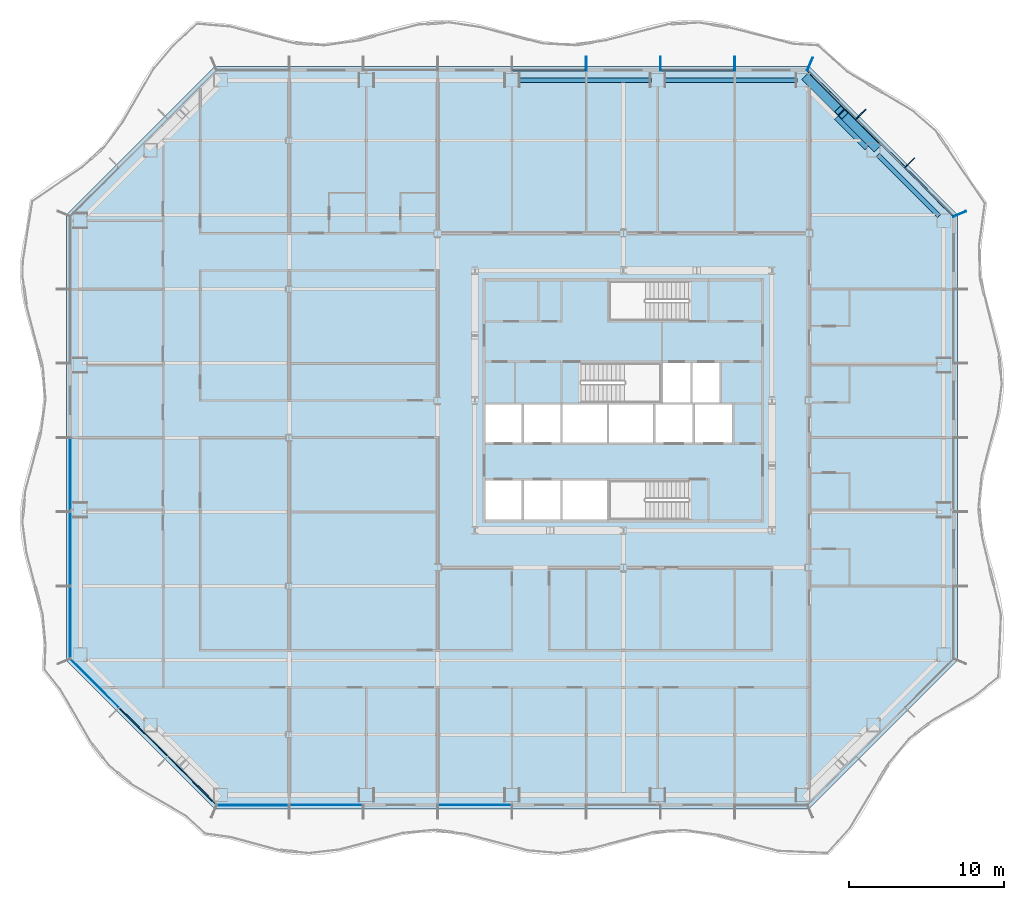
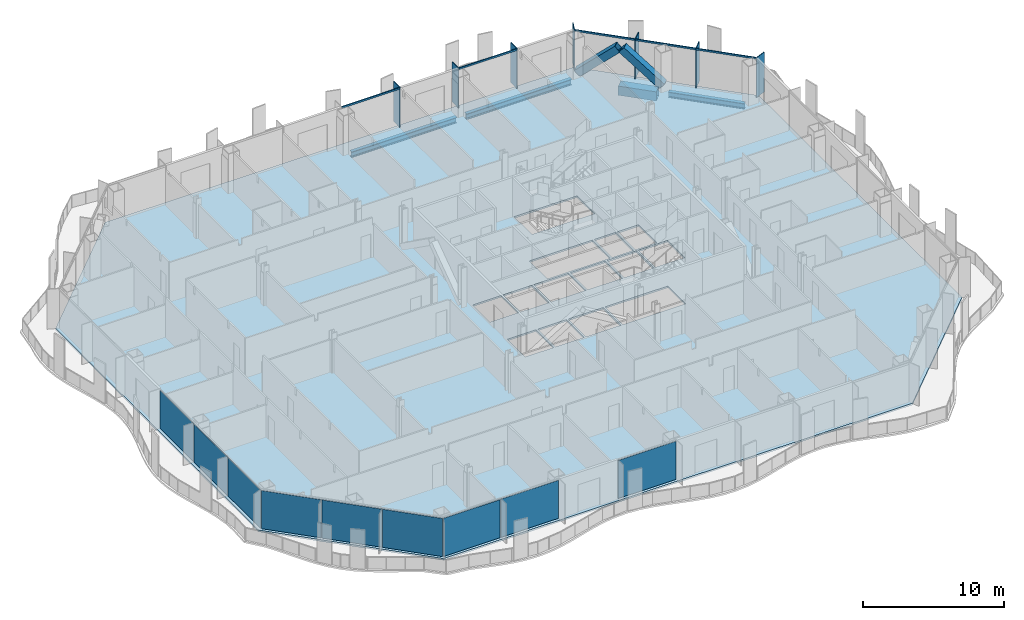
# One storey, part 4 of 21: 14 members, 9 plates, 4 beams, 1 slab, 5 elements without a shape of their own.
"""IFC4 building model written with IfcOpenShell, lengths in metres."""

from ifc_helpers import new_model, si_unit, direction, frame, origin, origin_2d, place, context, subcontext, project, spatial, polyline, rectangle, hollow_rectangle, i_section, outline, extrude, material, layer, layer_set, material_profile, profile_set, type_object, element, aggregate, save


model = new_model("IFC4")

# Units and contexts
model_context = context("Model", 3, precision=1e-05, world=origin(), true_north=direction((0.0, 1.0)))
body_context = subcontext(model_context, "Body", "Model", "MODEL_VIEW")
ifc_project = project(units=[si_unit("LENGTHUNIT", "METRE"), si_unit("AREAUNIT", "SQUARE_METRE"), si_unit("VOLUMEUNIT", "CUBIC_METRE"), si_unit("PLANEANGLEUNIT", "RADIAN"), si_unit("MASSUNIT", "GRAM", prefix="KILO")], contexts=[model_context])

# Site, building, storey
site_placement = place(None, origin())
site = spatial("IfcSite", under=ifc_project, at=site_placement, CompositionType="ELEMENT")
building_placement = place(site_placement, origin())
building = spatial("IfcBuilding", under=site, at=building_placement, Name="Cairn Pilgrim Tower", CompositionType="ELEMENT")
storey_placement = place(building_placement, frame((0.0, 0.0, 69.0)))
storey = spatial("IfcBuildingStorey", under=building, at=storey_placement, Name="L15", CompositionType="ELEMENT", Elevation=69.0)

# Members
ifc_material_1 = material(Name="Structural steel S460M", Category="steel")
ifc_material_profile_1 = material_profile(ifc_material_1, hollow_rectangle(XDim=0.60009765625, YDim=0.60009765625, WallThickness=0.034912109375, at=origin_2d()), Name="BOX 600x600x35")
ifc_profile_set_1 = profile_set([ifc_material_profile_1], Name="Structural steel S460M")
member_type_1 = type_object("IfcMemberType", Name="BOX 600x600x35 BRACE", PredefinedType="BRACE", material=ifc_profile_set_1)
for number, where, z_axis, x_axis, name in (
    (1, (23.4873046875, 18.814697265625, 0.14990234375), (-0.528939327604, 0.528877844478, 0.663710338426), (-0.70706568108, -0.707147878904, 0.0), "XB-NE2-N1-1"),
    (2, (19.078125, 23.2236328125, 0.14990234375), (0.52892212789, -0.52892212789, 0.663688756314), (0.707106781187, 0.707106781187, 0.0), "XB-NE2-N1-2"),
):
    element("IfcMember", number, at=place(storey_placement, frame(where, z_axis=z_axis, x_axis=x_axis)), inside=storey, type_object=member_type_1, Name=name, PredefinedType="BRACE", context=body_context, shape_type="SweptSolid", body=[
        extrude(hollow_rectangle(XDim=0.60009765625, YDim=0.60009765625, WallThickness=0.034912109375, at=origin_2d()), origin(), (0.0, 0.0, 1.0), 3.970947265625),
    ])

# Beam
ifc_material_2 = material(Name="Structural steel S355J2", Category="steel")
ifc_material_profile_2 = material_profile(ifc_material_2, hollow_rectangle(XDim=0.699951171875, YDim=0.800048828125, WallThickness=0.0400390625, at=origin_2d()), Name="BOX 700x800x40")
ifc_profile_set_2 = profile_set([ifc_material_profile_2], Name="Structural steel S355J2")
beam_type_1 = type_object("IfcBeamType", Name="BOX 700x800x40 RING GIRDER", PredefinedType="SPANDREL", material=ifc_profile_set_2)
beam_1_placement = place(storey_placement, frame((23.0771484375, 18.85009765625, -0.550048828125), z_axis=(-0.707106781187, 0.707106781187, 0.0), x_axis=(-0.707106781187, -0.707106781187, 0.0)))
element("IfcBeam", 3, at=beam_1_placement, inside=storey, type_object=beam_type_1, Name="RG1-NE2-N1-1", PredefinedType="SPANDREL", context=body_context, shape_type="SweptSolid", body=[
    extrude(hollow_rectangle(XDim=0.699951171875, YDim=0.800048828125, WallThickness=0.0400390625, at=origin_2d()), origin(), (0.0, 0.0, 1.0), 2.802490234375),
])

# Curtain wall, members
ifc_material_3 = material(Name="Aluminium alloy 6063-T6 bronze anodised with Bronze tinted laminated low-E glass 8+16+8.8", Category="aluminium")
curtain_wall_type_1 = type_object("IfcCurtainWallType", Name="CHAMFER CORNER CURTAIN WALL", PredefinedType="NOTDEFINED", material=ifc_material_3)
curtain_wall_1_placement = place(storey_placement, origin())
curtain_wall_1 = element("IfcCurtainWall", 4, at=curtain_wall_1_placement, inside=storey, type_object=curtain_wall_type_1, Name="Chamfer Corner Curtain Wall NE", PredefinedType="NOTDEFINED")
ifc_material_4 = material(Name="Aluminium alloy 6063-T6 bronze anodised", Category="aluminium")
ifc_material_profile_3 = material_profile(ifc_material_4, rectangle(XDim=0.89990234375, YDim=0.06005859375, at=origin_2d()), Name="FIN MULLION 60x900 BRONZE")
ifc_profile_set_3 = profile_set([ifc_material_profile_3], Name="Aluminium alloy 6063-T6 bronze anodised")
member_type_2 = type_object("IfcMemberType", Name="FIN MULLION 60x900 BRONZE", PredefinedType="MULLION", material=ifc_profile_set_3)
member_1_placement = place(storey_placement, frame((28.93798828125, 14.457275390625, 0.0), z_axis=(0.0, 0.0, 1.0), x_axis=(0.923879532511, 0.382683432365, 0.0)))
member_1 = element("IfcMember", 5, at=member_1_placement, type_object=member_type_2, Name="Fin mullion NE1", PredefinedType="MULLION", context=body_context, shape_type="SweptSolid", body=[
    extrude(rectangle(XDim=0.89990234375, YDim=0.06005859375, at=origin_2d()), origin(), (0.0, 0.0, 1.0), 3.449951171875),
])
member_2_placement = place(storey_placement, frame((25.69580078125, 17.74462890625, 0.0), z_axis=(0.0, 0.0, 1.0), x_axis=(0.707106781187, 0.707106781187, 0.0)))
member_2 = element("IfcMember", 6, at=member_2_placement, type_object=member_type_2, Name="Fin mullion NE2", PredefinedType="MULLION", context=body_context, shape_type="SweptSolid", body=[
    extrude(rectangle(XDim=0.89990234375, YDim=0.06005859375, at=origin_2d()), origin(), (0.0, 0.0, 1.0), 3.449951171875),
])
member_3_placement = place(storey_placement, frame((22.544677734375, 20.895751953125, 0.0), z_axis=(0.0, 0.0, 1.0), x_axis=(0.707106781187, 0.707106781187, 0.0)))
member_3 = element("IfcMember", 7, at=member_3_placement, type_object=member_type_2, Name="Fin mullion NE3", PredefinedType="MULLION", context=body_context, shape_type="SweptSolid", body=[
    extrude(rectangle(XDim=0.89990234375, YDim=0.06005859375, at=origin_2d()), origin(), (0.0, 0.0, 1.0), 3.449951171875),
])

curtain_wall_type_2 = type_object("IfcCurtainWallType", Name="TOWER STICK CURTAIN WALL NS", PredefinedType="NOTDEFINED", material=ifc_material_3)
curtain_wall_2_placement = place(storey_placement, origin())
curtain_wall_2 = element("IfcCurtainWall", 8, at=curtain_wall_2_placement, inside=storey, type_object=curtain_wall_type_2, Name="Tower Stick Curtain Wall Ns N", PredefinedType="NOTDEFINED")
member_4_placement = place(storey_placement, frame((19.257080078125, 24.137939453125, 0.0), z_axis=(0.0, 0.0, 1.0), x_axis=(0.382683432365, 0.923879532511, 0.0)))
member_4 = element("IfcMember", 9, at=member_4_placement, type_object=member_type_2, Name="Fin mullion N1", PredefinedType="MULLION", context=body_context, shape_type="SweptSolid", body=[
    extrude(rectangle(XDim=0.89990234375, YDim=0.06005859375, at=origin_2d()), origin(), (0.0, 0.0, 1.0), 3.449951171875),
])
member_5_placement = place(storey_placement, frame((14.39990234375, 24.169921875, 0.0), z_axis=(0.0, 0.0, 1.0), x_axis=(0.0, 1.0, 0.0)))
member_5 = element("IfcMember", 10, at=member_5_placement, type_object=member_type_2, Name="Fin mullion N2", PredefinedType="MULLION", context=body_context, shape_type="SweptSolid", body=[
    extrude(rectangle(XDim=0.89990234375, YDim=0.06005859375, at=origin_2d()), origin(), (0.0, 0.0, 1.0), 3.449951171875),
])
member_6_placement = place(storey_placement, frame((9.60009765625, 24.169921875, 0.0), z_axis=(0.0, 0.0, 1.0), x_axis=(0.0, 1.0, 0.0)))
member_6 = element("IfcMember", 11, at=member_6_placement, type_object=member_type_2, Name="Fin mullion N3", PredefinedType="MULLION", context=body_context, shape_type="SweptSolid", body=[
    extrude(rectangle(XDim=0.89990234375, YDim=0.06005859375, at=origin_2d()), origin(), (0.0, 0.0, 1.0), 3.449951171875),
])
member_7_placement = place(storey_placement, frame((4.800048828125, 24.169921875, 0.0), z_axis=(0.0, 0.0, 1.0), x_axis=(0.0, 1.0, 0.0)))
member_7 = element("IfcMember", 12, at=member_7_placement, type_object=member_type_2, Name="Fin mullion N4", PredefinedType="MULLION", context=body_context, shape_type="SweptSolid", body=[
    extrude(rectangle(XDim=0.89990234375, YDim=0.06005859375, at=origin_2d()), origin(), (0.0, 0.0, 1.0), 3.449951171875),
])

# Beams
ifc_material_profile_4 = material_profile(ifc_material_2, i_section(OverallWidth=0.300048828125, OverallDepth=0.5, WebThickness=0.014404296875, FlangeThickness=0.028076171875, FilletRadius=0.027099609375, at=origin_2d()), Name="HEB 500")
ifc_profile_set_4 = profile_set([ifc_material_profile_4], Name="Structural steel S355J2")
beam_type_2 = type_object("IfcBeamType", Name="HEB 500 RING GIRDER", PredefinedType="SPANDREL", material=ifc_profile_set_4)
beam_2_placement = place(storey_placement, frame((27.613525390625, 14.313720703125, -0.39990234375), z_axis=(-0.707128558756, 0.707085002947, 0.0), x_axis=(-0.707085002947, -0.707128558756, 0.0)))
element("IfcBeam", 13, at=beam_2_placement, inside=storey, type_object=beam_type_2, Name="RG1-NE1-NE2", PredefinedType="SPANDREL", context=body_context, shape_type="SweptSolid", body=[
    extrude(i_section(OverallWidth=0.300048828125, OverallDepth=0.5, WebThickness=0.014404296875, FlangeThickness=0.028076171875, FilletRadius=0.027099609375, at=origin_2d()), origin(), (0.0, 0.0, 1.0), 5.605224609375),
])
for number, where, z_axis, x_axis, name in (
    (14, (18.422119140625, 23.10009765625, -0.39990234375), (-1.0, 0.0, 0.0), (0.0, -1.0, 0.0), "RG1-N1-N2"),
    (15, (9.008544921875, 23.10009765625, -0.39990234375), (-1.0, 0.0, 0.0), (0.0, -1.0, 0.0), "RG1-N2-N3"),
):
    element("IfcBeam", number, at=place(storey_placement, frame(where, z_axis=z_axis, x_axis=x_axis)), inside=storey, type_object=beam_type_2, Name=name, PredefinedType="SPANDREL", context=body_context, shape_type="SweptSolid", body=[
        extrude(i_section(OverallWidth=0.300048828125, OverallDepth=0.5, WebThickness=0.014404296875, FlangeThickness=0.028076171875, FilletRadius=0.027099609375, at=origin_2d()), origin(), (0.0, 0.0, 1.0), 8.603515625),
    ])

# Member
ifc_material_profile_5 = material_profile(ifc_material_4, rectangle(XDim=0.080078125, YDim=0.14990234375, at=origin_2d()), Name="TRANSOM 80x150 BRONZE")
ifc_profile_set_5 = profile_set([ifc_material_profile_5], Name="Aluminium alloy 6063-T6 bronze anodised")
member_type_3 = type_object("IfcMemberType", Name="TRANSOM 80x150 BRONZE", PredefinedType="USERDEFINED", material=ifc_profile_set_5)
member_8_placement = place(storey_placement, frame((28.521728515625, 14.32470703125, 3.375), z_axis=(-0.707106781187, 0.707106781187, 0.0), x_axis=(-0.707106781187, -0.707106781187, 0.0)))
member_8 = element("IfcMember", 16, at=member_8_placement, type_object=member_type_3, Name="Transom NE1", ObjectType="TRANSOM", PredefinedType="USERDEFINED", context=body_context, shape_type="SweptSolid", body=[
    extrude(rectangle(XDim=0.080078125, YDim=0.14990234375, at=origin_2d()), origin(), (0.0, 0.0, 1.0), 4.38671875),
])

member_9_placement = place(storey_placement, frame((25.377685546875, 17.46875, 3.375), z_axis=(-0.707106781187, 0.707106781187, 0.0), x_axis=(-0.707106781187, -0.707106781187, 0.0)))
member_9 = element("IfcMember", 17, at=member_9_placement, type_object=member_type_3, Name="Transom NE2", ObjectType="TRANSOM", PredefinedType="USERDEFINED", context=body_context, shape_type="SweptSolid", body=[
    extrude(rectangle(XDim=0.080078125, YDim=0.14990234375, at=origin_2d()), origin(), (0.0, 0.0, 1.0), 4.396728515625),
])

member_10_placement = place(storey_placement, frame((22.226318359375, 20.6201171875, 3.375), z_axis=(-0.707106781187, 0.707106781187, 0.0), x_axis=(-0.707106781187, -0.707106781187, 0.0)))
member_10 = element("IfcMember", 18, at=member_10_placement, type_object=member_type_3, Name="Transom NE3", ObjectType="TRANSOM", PredefinedType="USERDEFINED", context=body_context, shape_type="SweptSolid", body=[
    extrude(rectangle(XDim=0.080078125, YDim=0.14990234375, at=origin_2d()), origin(), (0.0, 0.0, 1.0), 4.38623046875),
])

aggregate(curtain_wall_1, [member_1, member_2, member_3, member_8, member_9, member_10])

member_11_placement = place(storey_placement, frame((14.3701171875, 23.75, 3.375), z_axis=(-1.0, 0.0, 0.0), x_axis=(0.0, -1.0, 0.0)))
member_11 = element("IfcMember", 19, at=member_11_placement, type_object=member_type_3, Name="Transom N2", ObjectType="TRANSOM", PredefinedType="USERDEFINED", context=body_context, shape_type="SweptSolid", body=[
    extrude(rectangle(XDim=0.080078125, YDim=0.14990234375, at=origin_2d()), origin(), (0.0, 0.0, 1.0), 4.740234375),
])

member_12_placement = place(storey_placement, frame((4.77001953125, 23.75, 3.375), z_axis=(-1.0, 0.0, 0.0), x_axis=(0.0, -1.0, 0.0)))
member_12 = element("IfcMember", 20, at=member_12_placement, type_object=member_type_3, Name="Transom N4", ObjectType="TRANSOM", PredefinedType="USERDEFINED", context=body_context, shape_type="SweptSolid", body=[
    extrude(rectangle(XDim=0.080078125, YDim=0.14990234375, at=origin_2d()), origin(), (0.0, 0.0, 1.0), 4.739990234375),
])

aggregate(curtain_wall_2, [member_4, member_5, member_6, member_7, member_11, member_12])

# Slab
ifc_material_5 = material(Name="Concrete C35/45", Category="concrete")
ifc_layer_1 = layer(ifc_material_5, 0.14990234375)
ifc_layer_set_1 = layer_set([ifc_layer_1], Name="COMPOSITE FLOOR SLAB 150")
slab_type = type_object("IfcSlabType", Name="COMPOSITE FLOOR SLAB 150", PredefinedType="FLOOR", material=ifc_layer_set_1)
slab_placement = place(storey_placement, frame((0.0, 0.0, -0.14990234375)))
element("IfcSlab", 21, at=slab_placement, inside=storey, type_object=slab_type, Name="FLOOR SLAB L15", PredefinedType="FLOOR", context=body_context, shape_type="SweptSolid", body=[
    extrude(outline(polyline([(-19.199951171875, -24.0), (19.199951171875, -24.0), (28.800048828125, -14.39990234375), (28.800048828125, 14.39990234375), (19.199951171875, 24.0), (-19.199951171875, 24.0), (-28.800048828125, 14.39990234375), (-28.800048828125, -14.39990234375), (-19.199951171875, -24.0)]), holes=[polyline([(-1.72509765625, -5.300048828125), (0.625, -5.300048828125), (0.625, -2.77490234375), (-1.72509765625, -2.77490234375), (-1.72509765625, -5.300048828125)]), polyline([(0.77490234375, -5.300048828125), (3.125, -5.300048828125), (3.125, -2.77490234375), (0.77490234375, -2.77490234375), (0.77490234375, -5.300048828125)]), polyline([(-1.72509765625, -0.324951171875), (0.625, -0.324951171875), (0.625, 2.125), (-1.72509765625, 2.125), (-1.72509765625, -0.324951171875)]), polyline([(0.77490234375, -0.324951171875), (3.125, -0.324951171875), (3.125, 2.125), (0.77490234375, 2.125), (0.77490234375, -0.324951171875)]), polyline([(3.27490234375, -5.300048828125), (6.125, -5.300048828125), (6.125, -2.77490234375), (3.27490234375, -2.77490234375), (3.27490234375, -5.300048828125)]), polyline([(3.27490234375, -0.324951171875), (6.125, -0.324951171875), (6.125, 2.125), (3.27490234375, 2.125), (3.27490234375, -0.324951171875)]), polyline([(6.27490234375, -0.324951171875), (9.125, -0.324951171875), (9.125, 2.125), (6.27490234375, 2.125), (6.27490234375, -0.324951171875)]), polyline([(9.27490234375, -0.324951171875), (11.675048828125, -0.324951171875), (11.675048828125, 2.125), (9.27490234375, 2.125), (9.27490234375, -0.324951171875)]), polyline([(11.824951171875, -0.324951171875), (14.22509765625, -0.324951171875), (14.22509765625, 2.125), (11.824951171875, 2.125), (11.824951171875, -0.324951171875)]), polyline([(9.77490234375, 2.27490234375), (11.52490234375, 2.27490234375), (11.52490234375, 4.824951171875), (9.77490234375, 4.824951171875), (9.77490234375, 2.27490234375)]), polyline([(11.675048828125, 2.27490234375), (13.425048828125, 2.27490234375), (13.425048828125, 4.824951171875), (11.675048828125, 4.824951171875), (11.675048828125, 2.27490234375)]), polyline([(11.424560546875, -2.77490234375), (6.27490234375, -2.77490234375), (6.27490234375, -5.300048828125), (11.424560546875, -5.300048828125), (11.424560546875, -2.77490234375)]), polyline([(4.4755859375, 2.27490234375), (9.625, 2.27490234375), (9.625, 4.824951171875), (4.4755859375, 4.824951171875), (4.4755859375, 2.27490234375)]), polyline([(11.424560546875, 10.10009765625), (6.27490234375, 10.10009765625), (6.27490234375, 7.574951171875), (11.424560546875, 7.574951171875), (11.424560546875, 10.10009765625)])]), origin(), (0.0, 0.0, 1.0), 0.14990234375),
])

# Curtain wall, plates
curtain_wall_3_placement = place(storey_placement, origin())
curtain_wall_3 = element("IfcCurtainWall", 22, at=curtain_wall_3_placement, inside=storey, type_object=curtain_wall_type_1, Name="Chamfer Corner Curtain Wall SW", PredefinedType="NOTDEFINED")
ifc_material_6 = material(Name="Bronze anodised aluminium spandrel panel with mineral wool insulation", Category="aluminium")
ifc_layer_2 = layer(ifc_material_6, 0.06005859375)
ifc_layer_set_2 = layer_set([ifc_layer_2], Name="SPANDREL PANEL 4386x3300")
plate_type_1 = type_object("IfcPlateType", Name="SPANDREL PANEL 4386x3300", PredefinedType="CURTAIN_PANEL", material=ifc_layer_set_2)
plate_1_placement = place(storey_placement, frame((-20.675537109375, -22.1708984375, 0.0), z_axis=(0.0, 0.0, 1.0), x_axis=(0.707106781187, -0.707106781187, 0.0)))
plate_1 = element("IfcPlate", 23, at=plate_1_placement, type_object=plate_type_1, Name="Spandrel Panel SW3-1", PredefinedType="CURTAIN_PANEL", context=body_context, shape_type="SweptSolid", body=[
    extrude(rectangle(XDim=4.386474609375, YDim=0.06005859375, at=origin_2d()), origin(), (0.0, 0.0, 1.0), 3.300048828125),
])
ifc_layer_3 = layer(ifc_material_6, 0.06005859375)
ifc_layer_set_3 = layer_set([ifc_layer_3], Name="SPANDREL PANEL 4396x3300")
plate_type_2 = type_object("IfcPlateType", Name="SPANDREL PANEL 4396x3300", PredefinedType="CURTAIN_PANEL", material=ifc_layer_set_3)
plate_2_placement = place(storey_placement, frame((-23.8232421875, -19.023193359375, 0.0), z_axis=(0.0, 0.0, 1.0), x_axis=(0.707106781187, -0.707106781187, 0.0)))
plate_2 = element("IfcPlate", 24, at=plate_2_placement, type_object=plate_type_2, Name="Spandrel Panel SW2-1", PredefinedType="CURTAIN_PANEL", context=body_context, shape_type="SweptSolid", body=[
    extrude(rectangle(XDim=4.396484375, YDim=0.06005859375, at=origin_2d()), origin(), (0.0, 0.0, 1.0), 3.300048828125),
])

# Curtain wall, plate
curtain_wall_4_placement = place(storey_placement, origin())
curtain_wall_4 = element("IfcCurtainWall", 25, at=curtain_wall_4_placement, inside=storey, type_object=curtain_wall_type_2, Name="Tower Stick Curtain Wall Ns S", PredefinedType="NOTDEFINED")
ifc_layer_4 = layer(ifc_material_6, 0.06005859375)
ifc_layer_set_4 = layer_set([ifc_layer_4], Name="SPANDREL PANEL 4626x3300")
plate_type_3 = type_object("IfcPlateType", Name="SPANDREL PANEL 4626x3300", PredefinedType="CURTAIN_PANEL", material=ifc_layer_set_4)
plate_3_placement = place(storey_placement, frame((-16.7431640625, -23.75, 0.0), z_axis=(0.0, 0.0, 1.0), x_axis=(1.0, 0.0, 0.0)))
plate_3 = element("IfcPlate", 26, at=plate_3_placement, type_object=plate_type_3, Name="Spandrel Panel S1-1", PredefinedType="CURTAIN_PANEL", context=body_context, shape_type="SweptSolid", body=[
    extrude(rectangle(XDim=4.62646484375, YDim=0.06005859375, at=origin_2d()), origin(), (0.0, 0.0, 1.0), 3.300048828125),
])

# Plate
ifc_material_7 = material(Name="Bronze tinted laminated low-E glass 8+16+8.8", Category="glass")
ifc_layer_5 = layer(ifc_material_7, 0.033935546875)
ifc_layer_set_5 = layer_set([ifc_layer_5], Name="VISION GLAZING 4386x3300")
plate_type_4 = type_object("IfcPlateType", Name="VISION GLAZING 4386x3300", PredefinedType="CURTAIN_PANEL", material=ifc_layer_set_5)
plate_4_placement = place(storey_placement, frame((-26.970947265625, -15.87548828125, 0.0), z_axis=(0.0, 0.0, 1.0), x_axis=(0.707106781187, -0.707106781187, 0.0)))
plate_4 = element("IfcPlate", 27, at=plate_4_placement, type_object=plate_type_4, Name="Vision Glazing SW1-1", PredefinedType="CURTAIN_PANEL", context=body_context, shape_type="SweptSolid", body=[
    extrude(rectangle(XDim=4.386474609375, YDim=0.033935546875, at=origin_2d()), origin(), (0.0, 0.0, 1.0), 3.300048828125),
])

aggregate(curtain_wall_3, [plate_4, plate_2, plate_1])

# Curtain wall, plate
curtain_wall_type_3 = type_object("IfcCurtainWallType", Name="TOWER STICK CURTAIN WALL EW", PredefinedType="NOTDEFINED", material=ifc_material_3)
curtain_wall_5_placement = place(storey_placement, origin())
curtain_wall_5 = element("IfcCurtainWall", 28, at=curtain_wall_5_placement, inside=storey, type_object=curtain_wall_type_3, Name="Tower Stick Curtain Wall Ew W", PredefinedType="NOTDEFINED")
ifc_layer_6 = layer(ifc_material_7, 0.033935546875)
ifc_layer_set_6 = layer_set([ifc_layer_6], Name="VISION GLAZING 4626x3300")
plate_type_5 = type_object("IfcPlateType", Name="VISION GLAZING 4626x3300", PredefinedType="CURTAIN_PANEL", material=ifc_layer_set_6)
plate_5_placement = place(storey_placement, frame((-28.550048828125, -11.943115234375, 0.0), z_axis=(0.0, 0.0, 1.0), x_axis=(0.0, -1.0, 0.0)))
plate_5 = element("IfcPlate", 29, at=plate_5_placement, type_object=plate_type_5, Name="Vision Glazing W6-1", PredefinedType="CURTAIN_PANEL", context=body_context, shape_type="SweptSolid", body=[
    extrude(rectangle(XDim=4.62646484375, YDim=0.033935546875, at=origin_2d()), origin(), (0.0, 0.0, 1.0), 3.300048828125),
])

# Plate
ifc_layer_7 = layer(ifc_material_7, 0.033935546875)
ifc_layer_set_7 = layer_set([ifc_layer_7], Name="VISION GLAZING 4740x3300")
plate_type_6 = type_object("IfcPlateType", Name="VISION GLAZING 4740x3300", PredefinedType="CURTAIN_PANEL", material=ifc_layer_set_7)
plate_6_placement = place(storey_placement, frame((-12.0, -23.75, 0.0), z_axis=(0.0, 0.0, 1.0), x_axis=(1.0, 0.0, 0.0)))
plate_6 = element("IfcPlate", 30, at=plate_6_placement, type_object=plate_type_6, Name="Vision Glazing S2-1", PredefinedType="CURTAIN_PANEL", context=body_context, shape_type="SweptSolid", body=[
    extrude(rectangle(XDim=4.739990234375, YDim=0.033935546875, at=origin_2d()), origin(), (0.0, 0.0, 1.0), 3.300048828125),
])

plate_7_placement = place(storey_placement, frame((-2.39990234375, -23.75, 0.0), z_axis=(0.0, 0.0, 1.0), x_axis=(1.0, 0.0, 0.0)))
plate_7 = element("IfcPlate", 31, at=plate_7_placement, type_object=plate_type_6, Name="Vision Glazing S4-1", PredefinedType="CURTAIN_PANEL", context=body_context, shape_type="SweptSolid", body=[
    extrude(rectangle(XDim=4.739990234375, YDim=0.033935546875, at=origin_2d()), origin(), (0.0, 0.0, 1.0), 3.300048828125),
])

aggregate(curtain_wall_4, [plate_3, plate_6, plate_7])

plate_8_placement = place(storey_placement, frame((-28.550048828125, -2.39990234375, 0.0), z_axis=(0.0, 0.0, 1.0), x_axis=(0.0, -1.0, 0.0)))
plate_8 = element("IfcPlate", 32, at=plate_8_placement, type_object=plate_type_6, Name="Vision Glazing W4-1", PredefinedType="CURTAIN_PANEL", context=body_context, shape_type="SweptSolid", body=[
    extrude(rectangle(XDim=4.739990234375, YDim=0.033935546875, at=origin_2d()), origin(), (0.0, 0.0, 1.0), 3.300048828125),
])

plate_9_placement = place(storey_placement, frame((-28.550048828125, -7.199951171875, 0.0), z_axis=(0.0, 0.0, 1.0), x_axis=(0.0, -1.0, 0.0)))
plate_9 = element("IfcPlate", 33, at=plate_9_placement, type_object=plate_type_6, Name="Vision Glazing W5-1", PredefinedType="CURTAIN_PANEL", context=body_context, shape_type="SweptSolid", body=[
    extrude(rectangle(XDim=4.739990234375, YDim=0.033935546875, at=origin_2d()), origin(), (0.0, 0.0, 1.0), 3.300048828125),
])

aggregate(curtain_wall_5, [plate_8, plate_9, plate_5])

save(model, "model.ifc")
